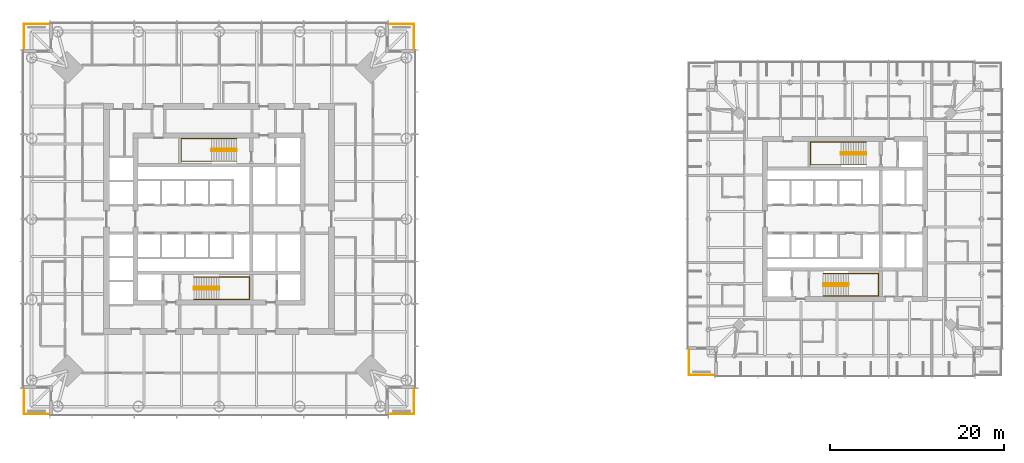
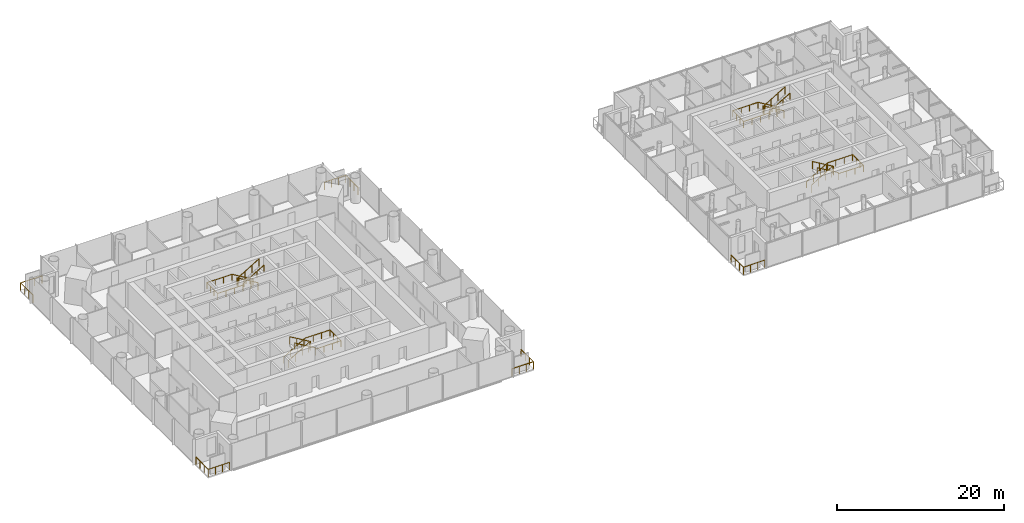
# One storey, part 17 of 18: 13 railings.
"""IFC4 building model written with IfcOpenShell, lengths in metres."""

from ifc_helpers import new_model, si_unit, direction, frame, origin, origin_2d, place, context, subcontext, project, spatial, circle, extrude, material, type_object, element, save


model = new_model("IFC4")

# Units and contexts
model_context = context("Model", 3, precision=1e-05, world=origin(), true_north=direction((0.0, 1.0)))
body_context = subcontext(model_context, "Body", "Model", "MODEL_VIEW")
ifc_project = project(units=[si_unit("LENGTHUNIT", "METRE"), si_unit("AREAUNIT", "SQUARE_METRE"), si_unit("VOLUMEUNIT", "CUBIC_METRE"), si_unit("PLANEANGLEUNIT", "RADIAN"), si_unit("MASSUNIT", "GRAM", prefix="KILO")], contexts=[model_context])

# Site, building, storey
site_placement = place(None, origin())
site = spatial("IfcSite", under=ifc_project, at=site_placement, CompositionType="ELEMENT")
building_placement = place(site_placement, origin())
building = spatial("IfcBuilding", under=site, at=building_placement, Name="Ostroluk Exchange", CompositionType="ELEMENT")
storey_placement = place(building_placement, frame((0.0, 0.0, 97.0)))
storey = spatial("IfcBuildingStorey", under=building, at=storey_placement, Name="L24", CompositionType="ELEMENT", Elevation=97.0)

# Railings
ifc_material_1 = material(Name="Stainless steel", Category="steel")
railing_type_1 = type_object("IfcRailingType", Name="Guard 1100 stainless steel", PredefinedType="GUARDRAIL", material=ifc_material_1)
railing_1_placement = place(storey_placement, frame((64.5, 23.550048828125, 0.0)))
element("IfcRailing", 1, at=railing_1_placement, inside=storey, type_object=railing_type_1, Name="Office tower SE balcony guard L24", PredefinedType="GUARDRAIL", context=body_context, shape_type="SweptSolid", body=[
    extrude(circle(Radius=0.02392578125, at=origin_2d()), frame((0.0, 0.0, 1.076171875), z_axis=(1.0, 0.0, 0.0), x_axis=(0.0, 1.0, 0.0)), (0.0, 0.0, 1.0), 2.949951171875),
    extrude(circle(Radius=0.02392578125, at=origin_2d()), frame((2.949951171875, 0.0, 1.076171875), z_axis=(0.0, 1.0, 0.0), x_axis=(-1.0, 0.0, 0.0)), (0.0, 0.0, 1.0), 2.949951171875),
    extrude(circle(Radius=0.02099609375, at=origin_2d()), origin(), (0.0, 0.0, 1.0), 1.052001953125),
    extrude(circle(Radius=0.02099609375, at=origin_2d()), frame((0.9833984375, 0.0, 0.0)), (0.0, 0.0, 1.0), 1.052001953125),
    extrude(circle(Radius=0.02099609375, at=origin_2d()), frame((1.966552734375, 0.0, 0.0)), (0.0, 0.0, 1.0), 1.052001953125),
    extrude(circle(Radius=0.02099609375, at=origin_2d()), frame((2.949951171875, 0.0, 0.0)), (0.0, 0.0, 1.0), 1.052001953125),
    extrude(circle(Radius=0.02099609375, at=origin_2d()), frame((2.949951171875, 0.9833984375, 0.0)), (0.0, 0.0, 1.0), 1.052001953125),
    extrude(circle(Radius=0.02099609375, at=origin_2d()), frame((2.949951171875, 1.966552734375, 0.0)), (0.0, 0.0, 1.0), 1.052001953125),
    extrude(circle(Radius=0.02099609375, at=origin_2d()), frame((2.949951171875, 2.949951171875, 0.0)), (0.0, 0.0, 1.0), 1.052001953125),
])
railing_2_placement = place(storey_placement, frame((64.5, 68.449951171875, 0.0)))
element("IfcRailing", 2, at=railing_2_placement, inside=storey, type_object=railing_type_1, Name="Office tower NE balcony guard L24", PredefinedType="GUARDRAIL", context=body_context, shape_type="SweptSolid", body=[
    extrude(circle(Radius=0.02392578125, at=origin_2d()), frame((0.0, 0.0, 1.076171875), z_axis=(1.0, 0.0, 0.0), x_axis=(0.0, 1.0, 0.0)), (0.0, 0.0, 1.0), 2.949951171875),
    extrude(circle(Radius=0.02392578125, at=origin_2d()), frame((2.949951171875, 0.0, 1.076171875), z_axis=(0.0, -1.0, 0.0), x_axis=(1.0, 0.0, 0.0)), (0.0, 0.0, 1.0), 2.949951171875),
    extrude(circle(Radius=0.02099609375, at=origin_2d()), origin(), (0.0, 0.0, 1.0), 1.052001953125),
    extrude(circle(Radius=0.02099609375, at=origin_2d()), frame((0.9833984375, 0.0, 0.0)), (0.0, 0.0, 1.0), 1.052001953125),
    extrude(circle(Radius=0.02099609375, at=origin_2d()), frame((1.966552734375, 0.0, 0.0)), (0.0, 0.0, 1.0), 1.052001953125),
    extrude(circle(Radius=0.02099609375, at=origin_2d()), frame((2.949951171875, 0.0, 0.0)), (0.0, 0.0, 1.0), 1.052001953125),
    extrude(circle(Radius=0.02099609375, at=origin_2d()), frame((2.949951171875, -0.9833984375, 0.0)), (0.0, 0.0, 1.0), 1.052001953125),
    extrude(circle(Radius=0.02099609375, at=origin_2d()), frame((2.949951171875, -1.966552734375, 0.0)), (0.0, 0.0, 1.0), 1.052001953125),
    extrude(circle(Radius=0.02099609375, at=origin_2d()), frame((2.949951171875, -2.949951171875, 0.0)), (0.0, 0.0, 1.0), 1.052001953125),
])
railing_3_placement = place(storey_placement, frame((25.5, 68.449951171875, 0.0)))
element("IfcRailing", 3, at=railing_3_placement, inside=storey, type_object=railing_type_1, Name="Office tower NW balcony guard L24", PredefinedType="GUARDRAIL", context=body_context, shape_type="SweptSolid", body=[
    extrude(circle(Radius=0.02392578125, at=origin_2d()), frame((0.0, 0.0, 1.076171875), z_axis=(-1.0, 0.0, 0.0), x_axis=(0.0, -1.0, 0.0)), (0.0, 0.0, 1.0), 2.949951171875),
    extrude(circle(Radius=0.02392578125, at=origin_2d()), frame((-2.949951171875, 0.0, 1.076171875), z_axis=(0.0, -1.0, 0.0), x_axis=(1.0, 0.0, 0.0)), (0.0, 0.0, 1.0), 2.949951171875),
    extrude(circle(Radius=0.02099609375, at=origin_2d()), origin(), (0.0, 0.0, 1.0), 1.052001953125),
    extrude(circle(Radius=0.02099609375, at=origin_2d()), frame((-0.9833984375, 0.0, 0.0)), (0.0, 0.0, 1.0), 1.052001953125),
    extrude(circle(Radius=0.02099609375, at=origin_2d()), frame((-1.966552734375, 0.0, 0.0)), (0.0, 0.0, 1.0), 1.052001953125),
    extrude(circle(Radius=0.02099609375, at=origin_2d()), frame((-2.949951171875, 0.0, 0.0)), (0.0, 0.0, 1.0), 1.052001953125),
    extrude(circle(Radius=0.02099609375, at=origin_2d()), frame((-2.949951171875, -0.9833984375, 0.0)), (0.0, 0.0, 1.0), 1.052001953125),
    extrude(circle(Radius=0.02099609375, at=origin_2d()), frame((-2.949951171875, -1.966552734375, 0.0)), (0.0, 0.0, 1.0), 1.052001953125),
    extrude(circle(Radius=0.02099609375, at=origin_2d()), frame((-2.949951171875, -2.949951171875, 0.0)), (0.0, 0.0, 1.0), 1.052001953125),
])
for number, where, name in (
    (4, (25.5, 23.550048828125, 0.0), "Office tower SW balcony guard L24"),
    (5, (102.0, 28.050048828125, 0.0), "Hotel tower SW balcony guard L24"),
):
    element("IfcRailing", number, at=place(storey_placement, frame(where)), inside=storey, type_object=railing_type_1, Name=name, PredefinedType="GUARDRAIL", context=body_context, shape_type="SweptSolid", body=[
        extrude(circle(Radius=0.02392578125, at=origin_2d()), frame((0.0, 0.0, 1.076171875), z_axis=(-1.0, 0.0, 0.0), x_axis=(0.0, -1.0, 0.0)), (0.0, 0.0, 1.0), 2.949951171875),
        extrude(circle(Radius=0.02392578125, at=origin_2d()), frame((-2.949951171875, 0.0, 1.076171875), z_axis=(0.0, 1.0, 0.0), x_axis=(-1.0, 0.0, 0.0)), (0.0, 0.0, 1.0), 2.949951171875),
        extrude(circle(Radius=0.02099609375, at=origin_2d()), origin(), (0.0, 0.0, 1.0), 1.052001953125),
        extrude(circle(Radius=0.02099609375, at=origin_2d()), frame((-0.9833984375, 0.0, 0.0)), (0.0, 0.0, 1.0), 1.052001953125),
        extrude(circle(Radius=0.02099609375, at=origin_2d()), frame((-1.966552734375, 0.0, 0.0)), (0.0, 0.0, 1.0), 1.052001953125),
        extrude(circle(Radius=0.02099609375, at=origin_2d()), frame((-2.949951171875, 0.0, 0.0)), (0.0, 0.0, 1.0), 1.052001953125),
        extrude(circle(Radius=0.02099609375, at=origin_2d()), frame((-2.949951171875, 0.9833984375, 0.0)), (0.0, 0.0, 1.0), 1.052001953125),
        extrude(circle(Radius=0.02099609375, at=origin_2d()), frame((-2.949951171875, 1.966552734375, 0.0)), (0.0, 0.0, 1.0), 1.052001953125),
        extrude(circle(Radius=0.02099609375, at=origin_2d()), frame((-2.949951171875, 2.949951171875, 0.0)), (0.0, 0.0, 1.0), 1.052001953125),
    ])
ifc_material_2 = material(Name="Steel S355", Category="steel")
railing_type_2 = type_object("IfcRailingType", Name="Stair guard 1100", PredefinedType="GUARDRAIL", material=ifc_material_2)
railing_4_placement = place(storey_placement, frame((42.10009765625, 38.179931640625, 0.172607421875)))
element("IfcRailing", 6, at=railing_4_placement, inside=storey, type_object=railing_type_2, Name="Stair T1-S1 guard L24", PredefinedType="GUARDRAIL", context=body_context, shape_type="SweptSolid", body=[
    extrude(circle(Radius=0.02392578125, at=origin_2d()), frame((0.0, 0.0, 1.076171875), z_axis=(0.859141464434, 0.0, 0.511738159696), x_axis=(0.0, 1.0, 0.0)), (0.0, 0.0, 1.0), 3.375244140625),
    extrude(circle(Radius=0.02392578125, at=origin_2d()), frame((2.89990234375, 0.0, 2.80322265625), z_axis=(0.0, -1.0, 0.0), x_axis=(1.0, 0.0, 0.0)), (0.0, 0.0, 1.0), 0.260009765625),
    extrude(circle(Radius=0.02392578125, at=origin_2d()), frame((2.89990234375, -0.260009765625, 2.80322265625), z_axis=(0.0, 0.0, 1.0), x_axis=(1.0, 0.0, 0.0)), (0.0, 0.0, 1.0), 0.1728515625),
    extrude(circle(Radius=0.02392578125, at=origin_2d()), frame((2.89990234375, -0.260009765625, 2.97607421875), z_axis=(-0.859141464434, 0.0, 0.511738159696), x_axis=(0.0, -1.0, 0.0)), (0.0, 0.0, 1.0), 3.375244140625),
    extrude(circle(Radius=0.02099609375, at=origin_2d()), origin(), (0.0, 0.0, 1.0), 1.052001953125),
    extrude(circle(Radius=0.02099609375, at=origin_2d()), frame((0.966552734375, 0.0, 0.57568359375)), (0.0, 0.0, 1.0), 1.052001953125),
    extrude(circle(Radius=0.02099609375, at=origin_2d()), frame((1.933349609375, 0.0, 1.151611328125)), (0.0, 0.0, 1.0), 1.052001953125),
    extrude(circle(Radius=0.02099609375, at=origin_2d()), frame((2.89990234375, 0.0, 1.727294921875)), (0.0, 0.0, 1.0), 1.052001953125),
    extrude(circle(Radius=0.02099609375, at=origin_2d()), frame((2.89990234375, -0.260009765625, 1.727294921875)), (0.0, 0.0, 1.0), 1.052001953125),
    extrude(circle(Radius=0.02099609375, at=origin_2d()), frame((2.89990234375, -0.260009765625, 1.900146484375)), (0.0, 0.0, 1.0), 1.052001953125),
    extrude(circle(Radius=0.02099609375, at=origin_2d()), frame((1.933349609375, -0.260009765625, 2.475830078125)), (0.0, 0.0, 1.0), 1.052001953125),
    extrude(circle(Radius=0.02099609375, at=origin_2d()), frame((0.966552734375, -0.260009765625, 3.0517578125)), (0.0, 0.0, 1.0), 1.052001953125),
    extrude(circle(Radius=0.02099609375, at=origin_2d()), frame((0.0, -0.260009765625, 3.62744140625)), (0.0, 0.0, 1.0), 1.052001953125),
])
railing_5_placement = place(storey_placement, frame((47.030029296875, 54.080078125, 0.172607421875)))
element("IfcRailing", 7, at=railing_5_placement, inside=storey, type_object=railing_type_2, Name="Stair T1-S2 guard L24", PredefinedType="GUARDRAIL", context=body_context, shape_type="SweptSolid", body=[
    extrude(circle(Radius=0.02392578125, at=origin_2d()), frame((0.0, 0.0, 1.076171875), z_axis=(-0.859160404282, 0.0, 0.51170636083), x_axis=(0.0, -1.0, 0.0)), (0.0, 0.0, 1.0), 3.37548828125),
    extrude(circle(Radius=0.02392578125, at=origin_2d()), frame((-2.900146484375, 0.0, 2.80322265625), z_axis=(0.0, -1.0, 0.0), x_axis=(1.0, 0.0, 0.0)), (0.0, 0.0, 1.0), 0.260009765625),
    extrude(circle(Radius=0.02392578125, at=origin_2d()), frame((-2.900146484375, -0.260009765625, 2.80322265625), z_axis=(0.0, 0.0, 1.0), x_axis=(1.0, 0.0, 0.0)), (0.0, 0.0, 1.0), 0.1728515625),
    extrude(circle(Radius=0.02392578125, at=origin_2d()), frame((-2.900146484375, -0.260009765625, 2.97607421875), z_axis=(0.859160404282, 0.0, 0.51170636083), x_axis=(0.0, 1.0, 0.0)), (0.0, 0.0, 1.0), 3.37548828125),
    extrude(circle(Radius=0.02099609375, at=origin_2d()), origin(), (0.0, 0.0, 1.0), 1.052001953125),
    extrude(circle(Radius=0.02099609375, at=origin_2d()), frame((-0.966796875, 0.0, 0.57568359375)), (0.0, 0.0, 1.0), 1.052001953125),
    extrude(circle(Radius=0.02099609375, at=origin_2d()), frame((-1.933349609375, 0.0, 1.151611328125)), (0.0, 0.0, 1.0), 1.052001953125),
    extrude(circle(Radius=0.02099609375, at=origin_2d()), frame((-2.900146484375, 0.0, 1.727294921875)), (0.0, 0.0, 1.0), 1.052001953125),
    extrude(circle(Radius=0.02099609375, at=origin_2d()), frame((-2.900146484375, -0.260009765625, 1.727294921875)), (0.0, 0.0, 1.0), 1.052001953125),
    extrude(circle(Radius=0.02099609375, at=origin_2d()), frame((-2.900146484375, -0.260009765625, 1.900146484375)), (0.0, 0.0, 1.0), 1.052001953125),
    extrude(circle(Radius=0.02099609375, at=origin_2d()), frame((-1.933349609375, -0.260009765625, 2.475830078125)), (0.0, 0.0, 1.0), 1.052001953125),
    extrude(circle(Radius=0.02099609375, at=origin_2d()), frame((-0.966796875, -0.260009765625, 3.0517578125)), (0.0, 0.0, 1.0), 1.052001953125),
    extrude(circle(Radius=0.02099609375, at=origin_2d()), frame((0.0, -0.260009765625, 3.62744140625)), (0.0, 0.0, 1.0), 1.052001953125),
])
railing_6_placement = place(storey_placement, frame((114.5, 38.580078125, 0.172607421875)))
element("IfcRailing", 8, at=railing_6_placement, inside=storey, type_object=railing_type_2, Name="Stair T2-S1 guard L24", PredefinedType="GUARDRAIL", context=body_context, shape_type="SweptSolid", body=[
    extrude(circle(Radius=0.02392578125, at=origin_2d()), frame((0.0, 0.0, 1.076171875), z_axis=(0.859141464434, 0.0, 0.511738159696), x_axis=(0.0, 1.0, 0.0)), (0.0, 0.0, 1.0), 3.375244140625),
    extrude(circle(Radius=0.02392578125, at=origin_2d()), frame((2.89990234375, 0.0, 2.80322265625), z_axis=(0.0, -1.0, 0.0), x_axis=(1.0, 0.0, 0.0)), (0.0, 0.0, 1.0), 0.260009765625),
    extrude(circle(Radius=0.02392578125, at=origin_2d()), frame((2.89990234375, -0.260009765625, 2.80322265625), z_axis=(0.0, 0.0, 1.0), x_axis=(1.0, 0.0, 0.0)), (0.0, 0.0, 1.0), 0.1728515625),
    extrude(circle(Radius=0.02392578125, at=origin_2d()), frame((2.89990234375, -0.260009765625, 2.97607421875), z_axis=(-0.859141464434, 0.0, 0.511738159696), x_axis=(0.0, -1.0, 0.0)), (0.0, 0.0, 1.0), 3.375244140625),
    extrude(circle(Radius=0.02099609375, at=origin_2d()), origin(), (0.0, 0.0, 1.0), 1.052001953125),
    extrude(circle(Radius=0.02099609375, at=origin_2d()), frame((0.966552734375, 0.0, 0.57568359375)), (0.0, 0.0, 1.0), 1.052001953125),
    extrude(circle(Radius=0.02099609375, at=origin_2d()), frame((1.933349609375, 0.0, 1.151611328125)), (0.0, 0.0, 1.0), 1.052001953125),
    extrude(circle(Radius=0.02099609375, at=origin_2d()), frame((2.89990234375, 0.0, 1.727294921875)), (0.0, 0.0, 1.0), 1.052001953125),
    extrude(circle(Radius=0.02099609375, at=origin_2d()), frame((2.89990234375, -0.260009765625, 1.727294921875)), (0.0, 0.0, 1.0), 1.052001953125),
    extrude(circle(Radius=0.02099609375, at=origin_2d()), frame((2.89990234375, -0.260009765625, 1.900146484375)), (0.0, 0.0, 1.0), 1.052001953125),
    extrude(circle(Radius=0.02099609375, at=origin_2d()), frame((1.933349609375, -0.260009765625, 2.475830078125)), (0.0, 0.0, 1.0), 1.052001953125),
    extrude(circle(Radius=0.02099609375, at=origin_2d()), frame((0.966552734375, -0.260009765625, 3.0517578125)), (0.0, 0.0, 1.0), 1.052001953125),
    extrude(circle(Radius=0.02099609375, at=origin_2d()), frame((0.0, -0.260009765625, 3.62744140625)), (0.0, 0.0, 1.0), 1.052001953125),
])
railing_7_placement = place(storey_placement, frame((119.429931640625, 53.679931640625, 0.172607421875)))
element("IfcRailing", 9, at=railing_7_placement, inside=storey, type_object=railing_type_2, Name="Stair T2-S2 guard L24", PredefinedType="GUARDRAIL", context=body_context, shape_type="SweptSolid", body=[
    extrude(circle(Radius=0.02392578125, at=origin_2d()), frame((0.0, 0.0, 1.076171875), z_axis=(-0.859141464434, 0.0, 0.511738159696), x_axis=(0.0, -1.0, 0.0)), (0.0, 0.0, 1.0), 3.375244140625),
    extrude(circle(Radius=0.02392578125, at=origin_2d()), frame((-2.89990234375, 0.0, 2.80322265625), z_axis=(0.0, -1.0, 0.0), x_axis=(1.0, 0.0, 0.0)), (0.0, 0.0, 1.0), 0.260009765625),
    extrude(circle(Radius=0.02392578125, at=origin_2d()), frame((-2.89990234375, -0.260009765625, 2.80322265625), z_axis=(0.0, 0.0, 1.0), x_axis=(1.0, 0.0, 0.0)), (0.0, 0.0, 1.0), 0.1728515625),
    extrude(circle(Radius=0.02392578125, at=origin_2d()), frame((-2.89990234375, -0.260009765625, 2.97607421875), z_axis=(0.859141464434, 0.0, 0.511738159696), x_axis=(0.0, 1.0, 0.0)), (0.0, 0.0, 1.0), 3.375244140625),
    extrude(circle(Radius=0.02099609375, at=origin_2d()), origin(), (0.0, 0.0, 1.0), 1.052001953125),
    extrude(circle(Radius=0.02099609375, at=origin_2d()), frame((-0.966552734375, 0.0, 0.57568359375)), (0.0, 0.0, 1.0), 1.052001953125),
    extrude(circle(Radius=0.02099609375, at=origin_2d()), frame((-1.933349609375, 0.0, 1.151611328125)), (0.0, 0.0, 1.0), 1.052001953125),
    extrude(circle(Radius=0.02099609375, at=origin_2d()), frame((-2.89990234375, 0.0, 1.727294921875)), (0.0, 0.0, 1.0), 1.052001953125),
    extrude(circle(Radius=0.02099609375, at=origin_2d()), frame((-2.89990234375, -0.260009765625, 1.727294921875)), (0.0, 0.0, 1.0), 1.052001953125),
    extrude(circle(Radius=0.02099609375, at=origin_2d()), frame((-2.89990234375, -0.260009765625, 1.900146484375)), (0.0, 0.0, 1.0), 1.052001953125),
    extrude(circle(Radius=0.02099609375, at=origin_2d()), frame((-1.933349609375, -0.260009765625, 2.475830078125)), (0.0, 0.0, 1.0), 1.052001953125),
    extrude(circle(Radius=0.02099609375, at=origin_2d()), frame((-0.966552734375, -0.260009765625, 3.0517578125)), (0.0, 0.0, 1.0), 1.052001953125),
    extrude(circle(Radius=0.02099609375, at=origin_2d()), frame((0.0, -0.260009765625, 3.62744140625)), (0.0, 0.0, 1.0), 1.052001953125),
])
ifc_material_3 = material(Name="Stainless steel", Category="steel")
railing_type_3 = type_object("IfcRailingType", Name="Stair handrail 900", PredefinedType="HANDRAIL", material=ifc_material_3)
railing_8_placement = place(storey_placement, frame((42.10009765625, 39.35009765625, 0.172607421875)))
element("IfcRailing", 10, at=railing_8_placement, inside=storey, type_object=railing_type_3, Name="Stair T1-S1 handrail L24", PredefinedType="HANDRAIL", context=body_context, shape_type="SweptSolid", body=[
    extrude(circle(Radius=0.02392578125, at=origin_2d()), frame((0.0, 0.0, 0.8759765625), z_axis=(0.859141464434, 0.0, 0.511738159696), x_axis=(0.0, 1.0, 0.0)), (0.0, 0.0, 1.0), 3.375244140625),
    extrude(circle(Radius=0.02392578125, at=origin_2d()), frame((2.89990234375, 0.0, 2.60302734375), z_axis=(1.0, 0.0, 0.0), x_axis=(0.0, 1.0, 0.0)), (0.0, 0.0, 1.0), 3.47998046875),
    extrude(circle(Radius=0.02392578125, at=origin_2d()), frame((6.3798828125, 0.0, 2.60302734375), z_axis=(0.0, -1.0, 0.0), x_axis=(1.0, 0.0, 0.0)), (0.0, 0.0, 1.0), 2.60009765625),
    extrude(circle(Radius=0.02392578125, at=origin_2d()), frame((6.3798828125, -2.60009765625, 2.60302734375), z_axis=(-1.0, 0.0, 0.0), x_axis=(0.0, -1.0, 0.0)), (0.0, 0.0, 1.0), 3.47998046875),
    extrude(circle(Radius=0.02392578125, at=origin_2d()), frame((2.89990234375, -2.60009765625, 2.60302734375), z_axis=(0.0, 0.0, 1.0), x_axis=(1.0, 0.0, 0.0)), (0.0, 0.0, 1.0), 0.1728515625),
    extrude(circle(Radius=0.02392578125, at=origin_2d()), frame((2.89990234375, -2.60009765625, 2.77587890625), z_axis=(-0.859141464434, 0.0, 0.511738159696), x_axis=(0.0, -1.0, 0.0)), (0.0, 0.0, 1.0), 3.375244140625),
    extrude(circle(Radius=0.02099609375, at=origin_2d()), origin(), (0.0, 0.0, 1.0), 0.851806640625),
    extrude(circle(Radius=0.02099609375, at=origin_2d()), frame((0.966552734375, 0.0, 0.57568359375)), (0.0, 0.0, 1.0), 0.851806640625),
    extrude(circle(Radius=0.02099609375, at=origin_2d()), frame((1.933349609375, 0.0, 1.151611328125)), (0.0, 0.0, 1.0), 0.851806640625),
    extrude(circle(Radius=0.02099609375, at=origin_2d()), frame((2.89990234375, 0.0, 1.727294921875)), (0.0, 0.0, 1.0), 0.851806640625),
    extrude(circle(Radius=0.02099609375, at=origin_2d()), frame((4.059814453125, 0.0, 1.727294921875)), (0.0, 0.0, 1.0), 0.851806640625),
    extrude(circle(Radius=0.02099609375, at=origin_2d()), frame((5.219970703125, 0.0, 1.727294921875)), (0.0, 0.0, 1.0), 0.851806640625),
    extrude(circle(Radius=0.02099609375, at=origin_2d()), frame((6.3798828125, 0.0, 1.727294921875)), (0.0, 0.0, 1.0), 0.851806640625),
    extrude(circle(Radius=0.02099609375, at=origin_2d()), frame((6.3798828125, -0.86669921875, 1.727294921875)), (0.0, 0.0, 1.0), 0.851806640625),
    extrude(circle(Radius=0.02099609375, at=origin_2d()), frame((6.3798828125, -1.7333984375, 1.727294921875)), (0.0, 0.0, 1.0), 0.851806640625),
    extrude(circle(Radius=0.02099609375, at=origin_2d()), frame((6.3798828125, -2.60009765625, 1.727294921875)), (0.0, 0.0, 1.0), 0.851806640625),
    extrude(circle(Radius=0.02099609375, at=origin_2d()), frame((5.219970703125, -2.60009765625, 1.727294921875)), (0.0, 0.0, 1.0), 0.851806640625),
    extrude(circle(Radius=0.02099609375, at=origin_2d()), frame((4.059814453125, -2.60009765625, 1.727294921875)), (0.0, 0.0, 1.0), 0.851806640625),
    extrude(circle(Radius=0.02099609375, at=origin_2d()), frame((2.89990234375, -2.60009765625, 1.727294921875)), (0.0, 0.0, 1.0), 0.851806640625),
    extrude(circle(Radius=0.02099609375, at=origin_2d()), frame((2.89990234375, -2.60009765625, 1.900146484375)), (0.0, 0.0, 1.0), 0.851806640625),
    extrude(circle(Radius=0.02099609375, at=origin_2d()), frame((1.933349609375, -2.60009765625, 2.475830078125)), (0.0, 0.0, 1.0), 0.851806640625),
    extrude(circle(Radius=0.02099609375, at=origin_2d()), frame((0.966552734375, -2.60009765625, 3.0517578125)), (0.0, 0.0, 1.0), 0.851806640625),
    extrude(circle(Radius=0.02099609375, at=origin_2d()), frame((0.0, -2.60009765625, 3.62744140625)), (0.0, 0.0, 1.0), 0.851806640625),
])
railing_9_placement = place(storey_placement, frame((47.030029296875, 55.25, 0.172607421875)))
element("IfcRailing", 11, at=railing_9_placement, inside=storey, type_object=railing_type_3, Name="Stair T1-S2 handrail L24", PredefinedType="HANDRAIL", context=body_context, shape_type="SweptSolid", body=[
    extrude(circle(Radius=0.02392578125, at=origin_2d()), frame((0.0, 0.0, 0.8759765625), z_axis=(-0.859160404282, 0.0, 0.51170636083), x_axis=(0.0, -1.0, 0.0)), (0.0, 0.0, 1.0), 3.37548828125),
    extrude(circle(Radius=0.02392578125, at=origin_2d()), frame((-2.900146484375, 0.0, 2.60302734375), z_axis=(-1.0, 0.0, 0.0), x_axis=(0.0, -1.0, 0.0)), (0.0, 0.0, 1.0), 3.47998046875),
    extrude(circle(Radius=0.02392578125, at=origin_2d()), frame((-6.380126953125, 0.0, 2.60302734375), z_axis=(0.0, -1.0, 0.0), x_axis=(1.0, 0.0, 0.0)), (0.0, 0.0, 1.0), 2.60009765625),
    extrude(circle(Radius=0.02392578125, at=origin_2d()), frame((-6.380126953125, -2.60009765625, 2.60302734375), z_axis=(1.0, 0.0, 0.0), x_axis=(0.0, 1.0, 0.0)), (0.0, 0.0, 1.0), 3.47998046875),
    extrude(circle(Radius=0.02392578125, at=origin_2d()), frame((-2.900146484375, -2.60009765625, 2.60302734375), z_axis=(0.0, 0.0, 1.0), x_axis=(1.0, 0.0, 0.0)), (0.0, 0.0, 1.0), 0.1728515625),
    extrude(circle(Radius=0.02392578125, at=origin_2d()), frame((-2.900146484375, -2.60009765625, 2.77587890625), z_axis=(0.859160404282, 0.0, 0.51170636083), x_axis=(0.0, 1.0, 0.0)), (0.0, 0.0, 1.0), 3.37548828125),
    extrude(circle(Radius=0.02099609375, at=origin_2d()), origin(), (0.0, 0.0, 1.0), 0.851806640625),
    extrude(circle(Radius=0.02099609375, at=origin_2d()), frame((-0.966796875, 0.0, 0.57568359375)), (0.0, 0.0, 1.0), 0.851806640625),
    extrude(circle(Radius=0.02099609375, at=origin_2d()), frame((-1.933349609375, 0.0, 1.151611328125)), (0.0, 0.0, 1.0), 0.851806640625),
    extrude(circle(Radius=0.02099609375, at=origin_2d()), frame((-2.900146484375, 0.0, 1.727294921875)), (0.0, 0.0, 1.0), 0.851806640625),
    extrude(circle(Radius=0.02099609375, at=origin_2d()), frame((-4.06005859375, 0.0, 1.727294921875)), (0.0, 0.0, 1.0), 0.851806640625),
    extrude(circle(Radius=0.02099609375, at=origin_2d()), frame((-5.22021484375, 0.0, 1.727294921875)), (0.0, 0.0, 1.0), 0.851806640625),
    extrude(circle(Radius=0.02099609375, at=origin_2d()), frame((-6.380126953125, 0.0, 1.727294921875)), (0.0, 0.0, 1.0), 0.851806640625),
    extrude(circle(Radius=0.02099609375, at=origin_2d()), frame((-6.380126953125, -0.86669921875, 1.727294921875)), (0.0, 0.0, 1.0), 0.851806640625),
    extrude(circle(Radius=0.02099609375, at=origin_2d()), frame((-6.380126953125, -1.7333984375, 1.727294921875)), (0.0, 0.0, 1.0), 0.851806640625),
    extrude(circle(Radius=0.02099609375, at=origin_2d()), frame((-6.380126953125, -2.60009765625, 1.727294921875)), (0.0, 0.0, 1.0), 0.851806640625),
    extrude(circle(Radius=0.02099609375, at=origin_2d()), frame((-5.22021484375, -2.60009765625, 1.727294921875)), (0.0, 0.0, 1.0), 0.851806640625),
    extrude(circle(Radius=0.02099609375, at=origin_2d()), frame((-4.06005859375, -2.60009765625, 1.727294921875)), (0.0, 0.0, 1.0), 0.851806640625),
    extrude(circle(Radius=0.02099609375, at=origin_2d()), frame((-2.900146484375, -2.60009765625, 1.727294921875)), (0.0, 0.0, 1.0), 0.851806640625),
    extrude(circle(Radius=0.02099609375, at=origin_2d()), frame((-2.900146484375, -2.60009765625, 1.900146484375)), (0.0, 0.0, 1.0), 0.851806640625),
    extrude(circle(Radius=0.02099609375, at=origin_2d()), frame((-1.933349609375, -2.60009765625, 2.475830078125)), (0.0, 0.0, 1.0), 0.851806640625),
    extrude(circle(Radius=0.02099609375, at=origin_2d()), frame((-0.966796875, -2.60009765625, 3.0517578125)), (0.0, 0.0, 1.0), 0.851806640625),
    extrude(circle(Radius=0.02099609375, at=origin_2d()), frame((0.0, -2.60009765625, 3.62744140625)), (0.0, 0.0, 1.0), 0.851806640625),
])
railing_10_placement = place(storey_placement, frame((114.5, 39.75, 0.172607421875)))
element("IfcRailing", 12, at=railing_10_placement, inside=storey, type_object=railing_type_3, Name="Stair T2-S1 handrail L24", PredefinedType="HANDRAIL", context=body_context, shape_type="SweptSolid", body=[
    extrude(circle(Radius=0.02392578125, at=origin_2d()), frame((0.0, 0.0, 0.8759765625), z_axis=(0.859141464434, 0.0, 0.511738159696), x_axis=(0.0, 1.0, 0.0)), (0.0, 0.0, 1.0), 3.375244140625),
    extrude(circle(Radius=0.02392578125, at=origin_2d()), frame((2.89990234375, 0.0, 2.60302734375), z_axis=(1.0, 0.0, 0.0), x_axis=(0.0, 1.0, 0.0)), (0.0, 0.0, 1.0), 3.47998046875),
    extrude(circle(Radius=0.02392578125, at=origin_2d()), frame((6.3798828125, 0.0, 2.60302734375), z_axis=(0.0, -1.0, 0.0), x_axis=(1.0, 0.0, 0.0)), (0.0, 0.0, 1.0), 2.60009765625),
    extrude(circle(Radius=0.02392578125, at=origin_2d()), frame((6.3798828125, -2.60009765625, 2.60302734375), z_axis=(-1.0, 0.0, 0.0), x_axis=(0.0, -1.0, 0.0)), (0.0, 0.0, 1.0), 3.47998046875),
    extrude(circle(Radius=0.02392578125, at=origin_2d()), frame((2.89990234375, -2.60009765625, 2.60302734375), z_axis=(0.0, 0.0, 1.0), x_axis=(1.0, 0.0, 0.0)), (0.0, 0.0, 1.0), 0.1728515625),
    extrude(circle(Radius=0.02392578125, at=origin_2d()), frame((2.89990234375, -2.60009765625, 2.77587890625), z_axis=(-0.859141464434, 0.0, 0.511738159696), x_axis=(0.0, -1.0, 0.0)), (0.0, 0.0, 1.0), 3.375244140625),
    extrude(circle(Radius=0.02099609375, at=origin_2d()), origin(), (0.0, 0.0, 1.0), 0.851806640625),
    extrude(circle(Radius=0.02099609375, at=origin_2d()), frame((0.966552734375, 0.0, 0.57568359375)), (0.0, 0.0, 1.0), 0.851806640625),
    extrude(circle(Radius=0.02099609375, at=origin_2d()), frame((1.933349609375, 0.0, 1.151611328125)), (0.0, 0.0, 1.0), 0.851806640625),
    extrude(circle(Radius=0.02099609375, at=origin_2d()), frame((2.89990234375, 0.0, 1.727294921875)), (0.0, 0.0, 1.0), 0.851806640625),
    extrude(circle(Radius=0.02099609375, at=origin_2d()), frame((4.059814453125, 0.0, 1.727294921875)), (0.0, 0.0, 1.0), 0.851806640625),
    extrude(circle(Radius=0.02099609375, at=origin_2d()), frame((5.219970703125, 0.0, 1.727294921875)), (0.0, 0.0, 1.0), 0.851806640625),
    extrude(circle(Radius=0.02099609375, at=origin_2d()), frame((6.3798828125, 0.0, 1.727294921875)), (0.0, 0.0, 1.0), 0.851806640625),
    extrude(circle(Radius=0.02099609375, at=origin_2d()), frame((6.3798828125, -0.86669921875, 1.727294921875)), (0.0, 0.0, 1.0), 0.851806640625),
    extrude(circle(Radius=0.02099609375, at=origin_2d()), frame((6.3798828125, -1.7333984375, 1.727294921875)), (0.0, 0.0, 1.0), 0.851806640625),
    extrude(circle(Radius=0.02099609375, at=origin_2d()), frame((6.3798828125, -2.60009765625, 1.727294921875)), (0.0, 0.0, 1.0), 0.851806640625),
    extrude(circle(Radius=0.02099609375, at=origin_2d()), frame((5.219970703125, -2.60009765625, 1.727294921875)), (0.0, 0.0, 1.0), 0.851806640625),
    extrude(circle(Radius=0.02099609375, at=origin_2d()), frame((4.059814453125, -2.60009765625, 1.727294921875)), (0.0, 0.0, 1.0), 0.851806640625),
    extrude(circle(Radius=0.02099609375, at=origin_2d()), frame((2.89990234375, -2.60009765625, 1.727294921875)), (0.0, 0.0, 1.0), 0.851806640625),
    extrude(circle(Radius=0.02099609375, at=origin_2d()), frame((2.89990234375, -2.60009765625, 1.900146484375)), (0.0, 0.0, 1.0), 0.851806640625),
    extrude(circle(Radius=0.02099609375, at=origin_2d()), frame((1.933349609375, -2.60009765625, 2.475830078125)), (0.0, 0.0, 1.0), 0.851806640625),
    extrude(circle(Radius=0.02099609375, at=origin_2d()), frame((0.966552734375, -2.60009765625, 3.0517578125)), (0.0, 0.0, 1.0), 0.851806640625),
    extrude(circle(Radius=0.02099609375, at=origin_2d()), frame((0.0, -2.60009765625, 3.62744140625)), (0.0, 0.0, 1.0), 0.851806640625),
])
railing_11_placement = place(storey_placement, frame((119.429931640625, 54.85009765625, 0.172607421875)))
element("IfcRailing", 13, at=railing_11_placement, inside=storey, type_object=railing_type_3, Name="Stair T2-S2 handrail L24", PredefinedType="HANDRAIL", context=body_context, shape_type="SweptSolid", body=[
    extrude(circle(Radius=0.02392578125, at=origin_2d()), frame((0.0, 0.0, 0.8759765625), z_axis=(-0.859141464434, 0.0, 0.511738159696), x_axis=(0.0, -1.0, 0.0)), (0.0, 0.0, 1.0), 3.375244140625),
    extrude(circle(Radius=0.02392578125, at=origin_2d()), frame((-2.89990234375, 0.0, 2.60302734375), z_axis=(-1.0, 0.0, 0.0), x_axis=(0.0, -1.0, 0.0)), (0.0, 0.0, 1.0), 3.47998046875),
    extrude(circle(Radius=0.02392578125, at=origin_2d()), frame((-6.3798828125, 0.0, 2.60302734375), z_axis=(0.0, -1.0, 0.0), x_axis=(1.0, 0.0, 0.0)), (0.0, 0.0, 1.0), 2.60009765625),
    extrude(circle(Radius=0.02392578125, at=origin_2d()), frame((-6.3798828125, -2.60009765625, 2.60302734375), z_axis=(1.0, 0.0, 0.0), x_axis=(0.0, 1.0, 0.0)), (0.0, 0.0, 1.0), 3.47998046875),
    extrude(circle(Radius=0.02392578125, at=origin_2d()), frame((-2.89990234375, -2.60009765625, 2.60302734375), z_axis=(0.0, 0.0, 1.0), x_axis=(1.0, 0.0, 0.0)), (0.0, 0.0, 1.0), 0.1728515625),
    extrude(circle(Radius=0.02392578125, at=origin_2d()), frame((-2.89990234375, -2.60009765625, 2.77587890625), z_axis=(0.859141464434, 0.0, 0.511738159696), x_axis=(0.0, 1.0, 0.0)), (0.0, 0.0, 1.0), 3.375244140625),
    extrude(circle(Radius=0.02099609375, at=origin_2d()), origin(), (0.0, 0.0, 1.0), 0.851806640625),
    extrude(circle(Radius=0.02099609375, at=origin_2d()), frame((-0.966552734375, 0.0, 0.57568359375)), (0.0, 0.0, 1.0), 0.851806640625),
    extrude(circle(Radius=0.02099609375, at=origin_2d()), frame((-1.933349609375, 0.0, 1.151611328125)), (0.0, 0.0, 1.0), 0.851806640625),
    extrude(circle(Radius=0.02099609375, at=origin_2d()), frame((-2.89990234375, 0.0, 1.727294921875)), (0.0, 0.0, 1.0), 0.851806640625),
    extrude(circle(Radius=0.02099609375, at=origin_2d()), frame((-4.059814453125, 0.0, 1.727294921875)), (0.0, 0.0, 1.0), 0.851806640625),
    extrude(circle(Radius=0.02099609375, at=origin_2d()), frame((-5.219970703125, 0.0, 1.727294921875)), (0.0, 0.0, 1.0), 0.851806640625),
    extrude(circle(Radius=0.02099609375, at=origin_2d()), frame((-6.3798828125, 0.0, 1.727294921875)), (0.0, 0.0, 1.0), 0.851806640625),
    extrude(circle(Radius=0.02099609375, at=origin_2d()), frame((-6.3798828125, -0.86669921875, 1.727294921875)), (0.0, 0.0, 1.0), 0.851806640625),
    extrude(circle(Radius=0.02099609375, at=origin_2d()), frame((-6.3798828125, -1.7333984375, 1.727294921875)), (0.0, 0.0, 1.0), 0.851806640625),
    extrude(circle(Radius=0.02099609375, at=origin_2d()), frame((-6.3798828125, -2.60009765625, 1.727294921875)), (0.0, 0.0, 1.0), 0.851806640625),
    extrude(circle(Radius=0.02099609375, at=origin_2d()), frame((-5.219970703125, -2.60009765625, 1.727294921875)), (0.0, 0.0, 1.0), 0.851806640625),
    extrude(circle(Radius=0.02099609375, at=origin_2d()), frame((-4.059814453125, -2.60009765625, 1.727294921875)), (0.0, 0.0, 1.0), 0.851806640625),
    extrude(circle(Radius=0.02099609375, at=origin_2d()), frame((-2.89990234375, -2.60009765625, 1.727294921875)), (0.0, 0.0, 1.0), 0.851806640625),
    extrude(circle(Radius=0.02099609375, at=origin_2d()), frame((-2.89990234375, -2.60009765625, 1.900146484375)), (0.0, 0.0, 1.0), 0.851806640625),
    extrude(circle(Radius=0.02099609375, at=origin_2d()), frame((-1.933349609375, -2.60009765625, 2.475830078125)), (0.0, 0.0, 1.0), 0.851806640625),
    extrude(circle(Radius=0.02099609375, at=origin_2d()), frame((-0.966552734375, -2.60009765625, 3.0517578125)), (0.0, 0.0, 1.0), 0.851806640625),
    extrude(circle(Radius=0.02099609375, at=origin_2d()), frame((0.0, -2.60009765625, 3.62744140625)), (0.0, 0.0, 1.0), 0.851806640625),
])

save(model, "model.ifc")
